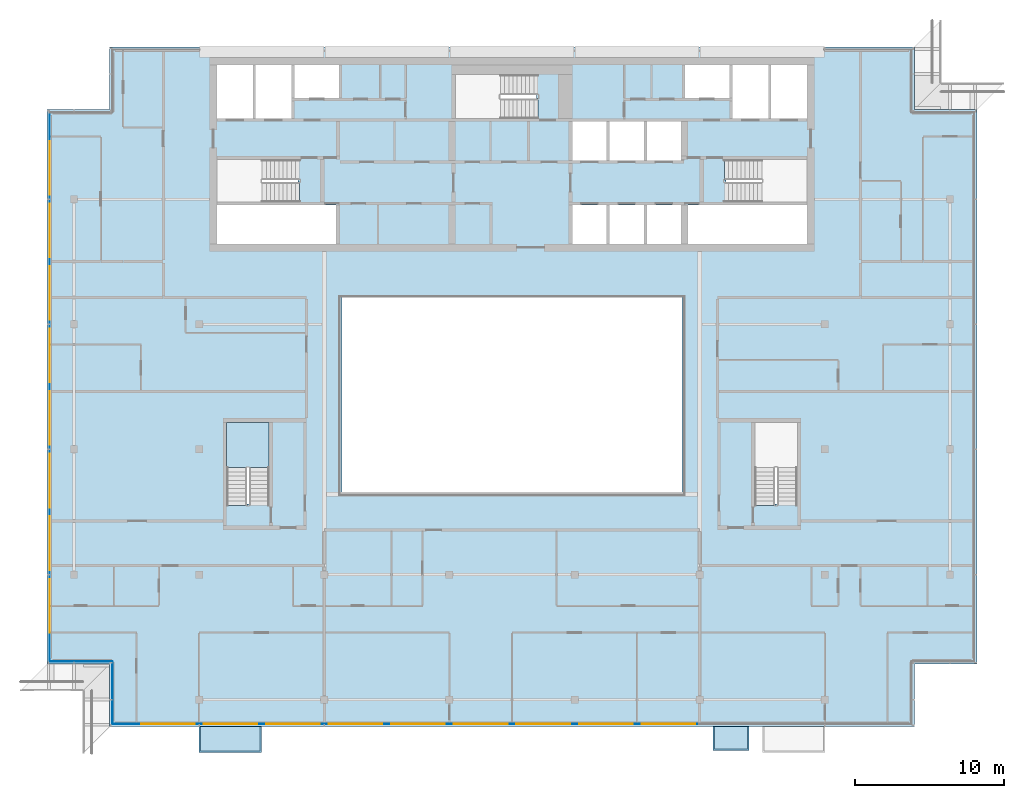
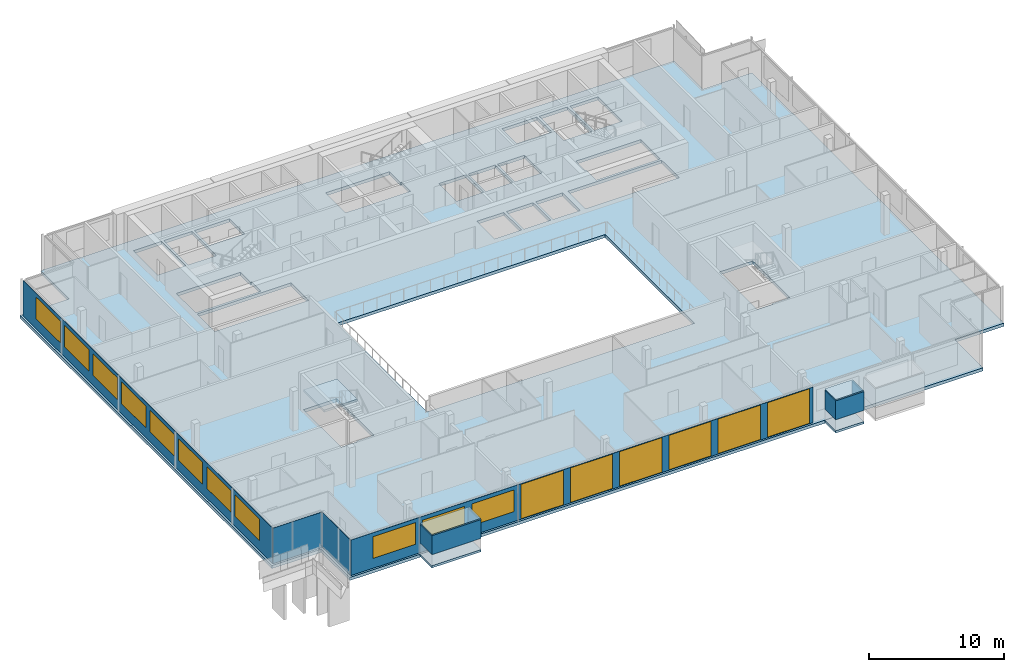
# One storey, part 14 of 24: 17 windows, 9 plates, 4 slabs, 17 openings, 5 elements without a shape of their own.
"""IFC4 building model written with IfcOpenShell, lengths in metres."""

from ifc_helpers import new_model, si_unit, direction, frame, frame_2d, origin, place, context, subcontext, project, spatial, polyline, rectangle, outline, extrude, material, layer, layer_set, type_object, element, fill, aggregate, save


model = new_model("IFC4")

# Units and contexts
model_context = context("Model", 3, precision=1e-05, world=origin(), true_north=direction((0.0, 1.0)))
body_context = subcontext(model_context, "Body", "Model", "MODEL_VIEW")
ifc_project = project(units=[si_unit("LENGTHUNIT", "METRE"), si_unit("AREAUNIT", "SQUARE_METRE"), si_unit("VOLUMEUNIT", "CUBIC_METRE"), si_unit("PLANEANGLEUNIT", "RADIAN"), si_unit("MASSUNIT", "GRAM", prefix="KILO")], contexts=[model_context])

# Site, building, storey
site_placement = place(None, origin())
site = spatial("IfcSite", under=ifc_project, at=site_placement, CompositionType="ELEMENT")
building_placement = place(site_placement, origin())
building = spatial("IfcBuilding", under=site, at=building_placement, Name="Saffron Gate Tower", CompositionType="ELEMENT")
storey_placement = place(building_placement, frame((0.0, 0.0, 281.550048828125)))
storey = spatial("IfcBuildingStorey", under=building, at=storey_placement, Name="L68", CompositionType="ELEMENT", Elevation=281.550048828125)

# Curtain wall, plates, openings, windows
ifc_material_1 = material(Name="Aluminium, bronze anodised", Category="aluminium")
curtain_wall_type_1 = type_object("IfcCurtainWallType", Name="CWS1 curtain wall front facade", PredefinedType="NOTDEFINED", material=ifc_material_1)
curtain_wall_1_placement = place(storey_placement, origin())
curtain_wall_1 = element("IfcCurtainWall", 1, at=curtain_wall_1_placement, inside=storey, type_object=curtain_wall_type_1, Name="CWS1 run 1", PredefinedType="NOTDEFINED")
ifc_material_2 = material(Name="Clear low-iron laminated glass", Category="glass")
ifc_layer_1 = layer(ifc_material_2, 0.028076171875)
ifc_layer_set_1 = layer_set([ifc_layer_1], Name="CWS1 clear glass")
plate_type_1 = type_object("IfcPlateType", Name="CWS1 clear glass", PredefinedType="CURTAIN_PANEL", material=ifc_layer_set_1)
plate_1_placement = place(storey_placement, frame((75.030029296875, 30.174072265625, 0.0), z_axis=(0.0, 0.0, 1.0), x_axis=(1.0, 0.0, 0.0)))
plate_1 = element("IfcPlate", 2, at=plate_1_placement, type_object=plate_type_1, Name="CWS1 clear glass panel", PredefinedType="CURTAIN_PANEL", context=body_context, shape_type="SweptSolid", body=[
    extrude(rectangle(XDim=25.139892578125, YDim=0.028076171875, at=frame_2d((12.56982421875, 0.0))), origin(), (0.0, 0.0, 1.0), 3.199951171875),
])
opening_1_placement = place(plate_1_placement, frame((0.27001953125, 0.0, 0.050048828125)))
opening_1 = element("IfcOpeningElement", 3, at=opening_1_placement, cuts=plate_1, Name="Opening WA", PredefinedType="OPENING", context=body_context, shape_type="SweptSolid", body=[
    extrude(rectangle(XDim=3.60009765625, YDim=3.10009765625, at=frame_2d((1.800048828125, 1.550048828125))), frame((0.0, 0.02392578125, 0.0), z_axis=(0.0, -1.0, 0.0), x_axis=(1.0, 0.0, 0.0)), (0.0, 0.0, 1.0), 0.048095703125),
])
opening_2_placement = place(plate_1_placement, frame((4.469970703125, 0.0, 0.050048828125)))
opening_2 = element("IfcOpeningElement", 4, at=opening_2_placement, cuts=plate_1, Name="Opening WA", PredefinedType="OPENING", context=body_context, shape_type="SweptSolid", body=[
    extrude(rectangle(XDim=3.60009765625, YDim=3.10009765625, at=frame_2d((1.800048828125, 1.550048828125))), frame((0.0, 0.02392578125, 0.0), z_axis=(0.0, -1.0, 0.0), x_axis=(1.0, 0.0, 0.0)), (0.0, 0.0, 1.0), 0.048095703125),
])
opening_3_placement = place(plate_1_placement, frame((8.669921875, 0.0, 0.050048828125)))
opening_3 = element("IfcOpeningElement", 5, at=opening_3_placement, cuts=plate_1, Name="Opening WA", PredefinedType="OPENING", context=body_context, shape_type="SweptSolid", body=[
    extrude(rectangle(XDim=3.60009765625, YDim=3.10009765625, at=frame_2d((1.800048828125, 1.550048828125))), frame((0.0, 0.02392578125, 0.0), z_axis=(0.0, -1.0, 0.0), x_axis=(1.0, 0.0, 0.0)), (0.0, 0.0, 1.0), 0.048095703125),
])
opening_4_placement = place(plate_1_placement, frame((12.8701171875, 0.0, 0.050048828125)))
opening_4 = element("IfcOpeningElement", 6, at=opening_4_placement, cuts=plate_1, Name="Opening WA", PredefinedType="OPENING", context=body_context, shape_type="SweptSolid", body=[
    extrude(rectangle(XDim=3.60009765625, YDim=3.10009765625, at=frame_2d((1.800048828125, 1.550048828125))), frame((0.0, 0.02392578125, 0.0), z_axis=(0.0, -1.0, 0.0), x_axis=(1.0, 0.0, 0.0)), (0.0, 0.0, 1.0), 0.048095703125),
])
opening_5_placement = place(plate_1_placement, frame((17.070068359375, 0.0, 0.050048828125)))
opening_5 = element("IfcOpeningElement", 7, at=opening_5_placement, cuts=plate_1, Name="Opening WA", PredefinedType="OPENING", context=body_context, shape_type="SweptSolid", body=[
    extrude(rectangle(XDim=3.60009765625, YDim=3.10009765625, at=frame_2d((1.800048828125, 1.550048828125))), frame((0.0, 0.02392578125, 0.0), z_axis=(0.0, -1.0, 0.0), x_axis=(1.0, 0.0, 0.0)), (0.0, 0.0, 1.0), 0.048095703125),
])
opening_6_placement = place(plate_1_placement, frame((21.27001953125, 0.0, 0.050048828125)))
opening_6 = element("IfcOpeningElement", 8, at=opening_6_placement, cuts=plate_1, Name="Opening WA", PredefinedType="OPENING", context=body_context, shape_type="SweptSolid", body=[
    extrude(rectangle(XDim=3.60009765625, YDim=3.10009765625, at=frame_2d((1.800048828125, 1.550048828125))), frame((0.0, 0.02392578125, 0.0), z_axis=(0.0, -1.0, 0.0), x_axis=(1.0, 0.0, 0.0)), (0.0, 0.0, 1.0), 0.048095703125),
])
ifc_material_3 = material(Name="Clear low-iron laminated glass in bronze frame", Category="glass")
ifc_layer_2 = layer(ifc_material_3, 0.06005859375)
ifc_layer_set_2 = layer_set([ifc_layer_2], Name="WA operable atrium unit 3600x3100")
window_type_1 = type_object("IfcWindowType", Name="WA operable atrium unit 3600x3100", PartitioningType="DOUBLE_PANEL_HORIZONTAL", PredefinedType="WINDOW", material=ifc_layer_set_2)
window_1_placement = place(opening_1_placement, origin())
window_1 = element("IfcWindow", 9, at=window_1_placement, type_object=window_type_1, Name="WA operable atrium unit", OverallHeight=3.10009765625, OverallWidth=3.60009765625, PartitioningType="SINGLE_PANEL", PredefinedType="WINDOW", context=body_context, shape_type="SweptSolid", body=[
    extrude(rectangle(XDim=3.60009765625, YDim=3.10009765625, at=frame_2d((1.800048828125, 1.550048828125))), frame((0.0, 0.013671875, 0.0), z_axis=(0.0, -1.0, 0.0), x_axis=(1.0, 0.0, 0.0)), (0.0, 0.0, 1.0), 0.027587890625),
])
fill(opening_1, window_1)
window_2_placement = place(opening_2_placement, origin())
window_2 = element("IfcWindow", 10, at=window_2_placement, type_object=window_type_1, Name="WA operable atrium unit", OverallHeight=3.10009765625, OverallWidth=3.60009765625, PartitioningType="SINGLE_PANEL", PredefinedType="WINDOW", context=body_context, shape_type="SweptSolid", body=[
    extrude(rectangle(XDim=3.60009765625, YDim=3.10009765625, at=frame_2d((1.800048828125, 1.550048828125))), frame((0.0, 0.013671875, 0.0), z_axis=(0.0, -1.0, 0.0), x_axis=(1.0, 0.0, 0.0)), (0.0, 0.0, 1.0), 0.027587890625),
])
fill(opening_2, window_2)
window_3_placement = place(opening_3_placement, origin())
window_3 = element("IfcWindow", 11, at=window_3_placement, type_object=window_type_1, Name="WA operable atrium unit", OverallHeight=3.10009765625, OverallWidth=3.60009765625, PartitioningType="SINGLE_PANEL", PredefinedType="WINDOW", context=body_context, shape_type="SweptSolid", body=[
    extrude(rectangle(XDim=3.60009765625, YDim=3.10009765625, at=frame_2d((1.800048828125, 1.550048828125))), frame((0.0, 0.013671875, 0.0), z_axis=(0.0, -1.0, 0.0), x_axis=(1.0, 0.0, 0.0)), (0.0, 0.0, 1.0), 0.027587890625),
])
fill(opening_3, window_3)
window_4_placement = place(opening_4_placement, origin())
window_4 = element("IfcWindow", 12, at=window_4_placement, type_object=window_type_1, Name="WA operable atrium unit", OverallHeight=3.10009765625, OverallWidth=3.60009765625, PartitioningType="SINGLE_PANEL", PredefinedType="WINDOW", context=body_context, shape_type="SweptSolid", body=[
    extrude(rectangle(XDim=3.60009765625, YDim=3.10009765625, at=frame_2d((1.800048828125, 1.550048828125))), frame((0.0, 0.013671875, 0.0), z_axis=(0.0, -1.0, 0.0), x_axis=(1.0, 0.0, 0.0)), (0.0, 0.0, 1.0), 0.027587890625),
])
fill(opening_4, window_4)
window_5_placement = place(opening_5_placement, origin())
window_5 = element("IfcWindow", 13, at=window_5_placement, type_object=window_type_1, Name="WA operable atrium unit", OverallHeight=3.10009765625, OverallWidth=3.60009765625, PartitioningType="SINGLE_PANEL", PredefinedType="WINDOW", context=body_context, shape_type="SweptSolid", body=[
    extrude(rectangle(XDim=3.60009765625, YDim=3.10009765625, at=frame_2d((1.800048828125, 1.550048828125))), frame((0.0, 0.013671875, 0.0), z_axis=(0.0, -1.0, 0.0), x_axis=(1.0, 0.0, 0.0)), (0.0, 0.0, 1.0), 0.027587890625),
])
fill(opening_5, window_5)
window_6_placement = place(opening_6_placement, origin())
window_6 = element("IfcWindow", 14, at=window_6_placement, type_object=window_type_1, Name="WA operable atrium unit", OverallHeight=3.10009765625, OverallWidth=3.60009765625, PartitioningType="SINGLE_PANEL", PredefinedType="WINDOW", context=body_context, shape_type="SweptSolid", body=[
    extrude(rectangle(XDim=3.60009765625, YDim=3.10009765625, at=frame_2d((1.800048828125, 1.550048828125))), frame((0.0, 0.013671875, 0.0), z_axis=(0.0, -1.0, 0.0), x_axis=(1.0, 0.0, 0.0)), (0.0, 0.0, 1.0), 0.027587890625),
])
fill(opening_6, window_6)
ifc_material_4 = material(Name="Fritted bronze-tinted laminated glass", Category="glass")
ifc_layer_3 = layer(ifc_material_4, 0.028076171875)
ifc_layer_set_3 = layer_set([ifc_layer_3], Name="CWS1 fixed glass")
plate_type_2 = type_object("IfcPlateType", Name="CWS1 fixed glass", PredefinedType="CURTAIN_PANEL", material=ifc_layer_set_3)
plate_2_placement = place(storey_placement, frame((60.7880859375, 30.174072265625, 0.0), z_axis=(0.0, 0.0, 1.0), x_axis=(1.0, 0.0, 0.0)))
plate_2 = element("IfcPlate", 15, at=plate_2_placement, type_object=plate_type_2, Name="CWS1 glass panel", PredefinedType="CURTAIN_PANEL", context=body_context, shape_type="SweptSolid", body=[
    extrude(rectangle(XDim=14.241943359375, YDim=0.028076171875, at=frame_2d((7.12109375, 0.0))), origin(), (0.0, 0.0, 1.0), 3.199951171875),
])
opening_7_placement = place(plate_2_placement, frame((1.912109375, 0.0, 0.89990234375)))
opening_7 = element("IfcOpeningElement", 16, at=opening_7_placement, cuts=plate_2, Name="Opening W1", PredefinedType="OPENING", context=body_context, shape_type="SweptSolid", body=[
    extrude(rectangle(XDim=3.60009765625, YDim=1.949951171875, at=frame_2d((1.800048828125, 0.97509765625))), frame((0.0, 0.02392578125, 0.0), z_axis=(0.0, -1.0, 0.0), x_axis=(1.0, 0.0, 0.0)), (0.0, 0.0, 1.0), 0.048095703125),
])
opening_8_placement = place(plate_2_placement, frame((6.112060546875, 0.0, 0.89990234375)))
opening_8 = element("IfcOpeningElement", 17, at=opening_8_placement, cuts=plate_2, Name="Opening W1", PredefinedType="OPENING", context=body_context, shape_type="SweptSolid", body=[
    extrude(rectangle(XDim=3.60009765625, YDim=1.949951171875, at=frame_2d((1.800048828125, 0.97509765625))), frame((0.0, 0.02392578125, 0.0), z_axis=(0.0, -1.0, 0.0), x_axis=(1.0, 0.0, 0.0)), (0.0, 0.0, 1.0), 0.048095703125),
])
opening_9_placement = place(plate_2_placement, frame((10.31201171875, 0.0, 0.89990234375)))
opening_9 = element("IfcOpeningElement", 18, at=opening_9_placement, cuts=plate_2, Name="Opening W1", PredefinedType="OPENING", context=body_context, shape_type="SweptSolid", body=[
    extrude(rectangle(XDim=3.60009765625, YDim=1.949951171875, at=frame_2d((1.800048828125, 0.97509765625))), frame((0.0, 0.02392578125, 0.0), z_axis=(0.0, -1.0, 0.0), x_axis=(1.0, 0.0, 0.0)), (0.0, 0.0, 1.0), 0.048095703125),
])
ifc_material_5 = material(Name="Fritted bronze-tinted laminated glass in bronze frame", Category="glass")
ifc_layer_4 = layer(ifc_material_5, 0.06005859375)
ifc_layer_set_4 = layer_set([ifc_layer_4], Name="W1 operable panel 3600x1950")
window_type_2 = type_object("IfcWindowType", Name="W1 operable panel 3600x1950", PartitioningType="DOUBLE_PANEL_HORIZONTAL", PredefinedType="WINDOW", material=ifc_layer_set_4)
window_7_placement = place(opening_7_placement, origin())
window_7 = element("IfcWindow", 19, at=window_7_placement, type_object=window_type_2, Name="W1 operable panel", OverallHeight=1.949951171875, OverallWidth=3.60009765625, PartitioningType="SINGLE_PANEL", PredefinedType="WINDOW", context=body_context, shape_type="SweptSolid", body=[
    extrude(rectangle(XDim=3.60009765625, YDim=1.949951171875, at=frame_2d((1.800048828125, 0.97509765625))), frame((0.0, 0.013671875, 0.0), z_axis=(0.0, -1.0, 0.0), x_axis=(1.0, 0.0, 0.0)), (0.0, 0.0, 1.0), 0.027587890625),
])
fill(opening_7, window_7)
window_8_placement = place(opening_8_placement, origin())
window_8 = element("IfcWindow", 20, at=window_8_placement, type_object=window_type_2, Name="W1 operable panel", OverallHeight=1.949951171875, OverallWidth=3.60009765625, PartitioningType="SINGLE_PANEL", PredefinedType="WINDOW", context=body_context, shape_type="SweptSolid", body=[
    extrude(rectangle(XDim=3.60009765625, YDim=1.949951171875, at=frame_2d((1.800048828125, 0.97509765625))), frame((0.0, 0.013671875, 0.0), z_axis=(0.0, -1.0, 0.0), x_axis=(1.0, 0.0, 0.0)), (0.0, 0.0, 1.0), 0.027587890625),
])
fill(opening_8, window_8)
window_9_placement = place(opening_9_placement, origin())
window_9 = element("IfcWindow", 21, at=window_9_placement, type_object=window_type_2, Name="W1 operable panel", OverallHeight=1.949951171875, OverallWidth=3.60009765625, PartitioningType="SINGLE_PANEL", PredefinedType="WINDOW", context=body_context, shape_type="SweptSolid", body=[
    extrude(rectangle(XDim=3.60009765625, YDim=1.949951171875, at=frame_2d((1.800048828125, 0.97509765625))), frame((0.0, 0.013671875, 0.0), z_axis=(0.0, -1.0, 0.0), x_axis=(1.0, 0.0, 0.0)), (0.0, 0.0, 1.0), 0.027587890625),
])
fill(opening_9, window_9)
aggregate(curtain_wall_1, [plate_2, plate_1, window_7, window_8, window_9, window_1, window_2, window_3, window_4, window_5, window_6])

# Curtain wall, plate, openings, windows
curtain_wall_type_2 = type_object("IfcCurtainWallType", Name="CWS2 curtain wall side facades", PredefinedType="NOTDEFINED", material=ifc_material_1)
curtain_wall_2_placement = place(storey_placement, origin())
curtain_wall_2 = element("IfcCurtainWall", 22, at=curtain_wall_2_placement, inside=storey, type_object=curtain_wall_type_2, Name="CWS2 run 10", PredefinedType="NOTDEFINED")
ifc_layer_5 = layer(ifc_material_4, 0.028076171875)
ifc_layer_set_5 = layer_set([ifc_layer_5], Name="CWS2 fixed glass")
plate_type_3 = type_object("IfcPlateType", Name="CWS2 fixed glass", PredefinedType="CURTAIN_PANEL", material=ifc_layer_set_5)
plate_3_placement = place(storey_placement, frame((56.573974609375, 71.2119140625, 0.0), z_axis=(0.0, 0.0, 1.0), x_axis=(0.0, -1.0, 0.0)))
plate_3 = element("IfcPlate", 23, at=plate_3_placement, type_object=plate_type_3, Name="CWS2 glass panel", PredefinedType="CURTAIN_PANEL", context=body_context, shape_type="SweptSolid", body=[
    extrude(rectangle(XDim=36.823974609375, YDim=0.028076171875, at=frame_2d((18.412109375, 0.0))), origin(), (0.0, 0.0, 1.0), 3.199951171875),
])
opening_10_placement = place(plate_3_placement, frame((1.912109375, 0.0, 0.89990234375)))
opening_10 = element("IfcOpeningElement", 24, at=opening_10_placement, cuts=plate_3, Name="Opening W1", PredefinedType="OPENING", context=body_context, shape_type="SweptSolid", body=[
    extrude(rectangle(XDim=3.60009765625, YDim=1.949951171875, at=frame_2d((1.800048828125, 0.97509765625))), frame((0.0, 0.02392578125, 0.0), z_axis=(0.0, -1.0, 0.0), x_axis=(1.0, 0.0, 0.0)), (0.0, 0.0, 1.0), 0.048095703125),
])
opening_11_placement = place(plate_3_placement, frame((6.112060546875, 0.0, 0.89990234375)))
opening_11 = element("IfcOpeningElement", 25, at=opening_11_placement, cuts=plate_3, Name="Opening W1", PredefinedType="OPENING", context=body_context, shape_type="SweptSolid", body=[
    extrude(rectangle(XDim=3.60009765625, YDim=1.949951171875, at=frame_2d((1.800048828125, 0.97509765625))), frame((0.0, 0.02392578125, 0.0), z_axis=(0.0, -1.0, 0.0), x_axis=(1.0, 0.0, 0.0)), (0.0, 0.0, 1.0), 0.048095703125),
])
opening_12_placement = place(plate_3_placement, frame((10.31201171875, 0.0, 0.89990234375)))
opening_12 = element("IfcOpeningElement", 26, at=opening_12_placement, cuts=plate_3, Name="Opening W1", PredefinedType="OPENING", context=body_context, shape_type="SweptSolid", body=[
    extrude(rectangle(XDim=3.60009765625, YDim=1.949951171875, at=frame_2d((1.800048828125, 0.97509765625))), frame((0.0, 0.02392578125, 0.0), z_axis=(0.0, -1.0, 0.0), x_axis=(1.0, 0.0, 0.0)), (0.0, 0.0, 1.0), 0.048095703125),
])
opening_13_placement = place(plate_3_placement, frame((14.511962890625, 0.0, 0.89990234375)))
opening_13 = element("IfcOpeningElement", 27, at=opening_13_placement, cuts=plate_3, Name="Opening W1", PredefinedType="OPENING", context=body_context, shape_type="SweptSolid", body=[
    extrude(rectangle(XDim=3.60009765625, YDim=1.949951171875, at=frame_2d((1.800048828125, 0.97509765625))), frame((0.0, 0.02392578125, 0.0), z_axis=(0.0, -1.0, 0.0), x_axis=(1.0, 0.0, 0.0)), (0.0, 0.0, 1.0), 0.048095703125),
])
opening_14_placement = place(plate_3_placement, frame((18.7119140625, 0.0, 0.89990234375)))
opening_14 = element("IfcOpeningElement", 28, at=opening_14_placement, cuts=plate_3, Name="Opening W1", PredefinedType="OPENING", context=body_context, shape_type="SweptSolid", body=[
    extrude(rectangle(XDim=3.60009765625, YDim=1.949951171875, at=frame_2d((1.800048828125, 0.97509765625))), frame((0.0, 0.02392578125, 0.0), z_axis=(0.0, -1.0, 0.0), x_axis=(1.0, 0.0, 0.0)), (0.0, 0.0, 1.0), 0.048095703125),
])
opening_15_placement = place(plate_3_placement, frame((22.912109375, 0.0, 0.89990234375)))
opening_15 = element("IfcOpeningElement", 29, at=opening_15_placement, cuts=plate_3, Name="Opening W1", PredefinedType="OPENING", context=body_context, shape_type="SweptSolid", body=[
    extrude(rectangle(XDim=3.60009765625, YDim=1.949951171875, at=frame_2d((1.800048828125, 0.97509765625))), frame((0.0, 0.02392578125, 0.0), z_axis=(0.0, -1.0, 0.0), x_axis=(1.0, 0.0, 0.0)), (0.0, 0.0, 1.0), 0.048095703125),
])
opening_16_placement = place(plate_3_placement, frame((27.112060546875, 0.0, 0.89990234375)))
opening_16 = element("IfcOpeningElement", 30, at=opening_16_placement, cuts=plate_3, Name="Opening W1", PredefinedType="OPENING", context=body_context, shape_type="SweptSolid", body=[
    extrude(rectangle(XDim=3.60009765625, YDim=1.949951171875, at=frame_2d((1.800048828125, 0.97509765625))), frame((0.0, 0.02392578125, 0.0), z_axis=(0.0, -1.0, 0.0), x_axis=(1.0, 0.0, 0.0)), (0.0, 0.0, 1.0), 0.048095703125),
])
opening_17_placement = place(plate_3_placement, frame((31.31201171875, 0.0, 0.89990234375)))
opening_17 = element("IfcOpeningElement", 31, at=opening_17_placement, cuts=plate_3, Name="Opening W1", PredefinedType="OPENING", context=body_context, shape_type="SweptSolid", body=[
    extrude(rectangle(XDim=3.60009765625, YDim=1.949951171875, at=frame_2d((1.800048828125, 0.97509765625))), frame((0.0, 0.02392578125, 0.0), z_axis=(0.0, -1.0, 0.0), x_axis=(1.0, 0.0, 0.0)), (0.0, 0.0, 1.0), 0.048095703125),
])
window_10_placement = place(opening_10_placement, origin())
window_10 = element("IfcWindow", 32, at=window_10_placement, type_object=window_type_2, Name="W1 operable panel", OverallHeight=1.949951171875, OverallWidth=3.60009765625, PartitioningType="SINGLE_PANEL", PredefinedType="WINDOW", context=body_context, shape_type="SweptSolid", body=[
    extrude(rectangle(XDim=3.60009765625, YDim=1.949951171875, at=frame_2d((1.800048828125, 0.97509765625))), frame((0.0, 0.013671875, 0.0), z_axis=(0.0, -1.0, 0.0), x_axis=(1.0, 0.0, 0.0)), (0.0, 0.0, 1.0), 0.027587890625),
])
fill(opening_10, window_10)
window_11_placement = place(opening_11_placement, origin())
window_11 = element("IfcWindow", 33, at=window_11_placement, type_object=window_type_2, Name="W1 operable panel", OverallHeight=1.949951171875, OverallWidth=3.60009765625, PartitioningType="SINGLE_PANEL", PredefinedType="WINDOW", context=body_context, shape_type="SweptSolid", body=[
    extrude(rectangle(XDim=3.60009765625, YDim=1.949951171875, at=frame_2d((1.800048828125, 0.97509765625))), frame((0.0, 0.013671875, 0.0), z_axis=(0.0, -1.0, 0.0), x_axis=(1.0, 0.0, 0.0)), (0.0, 0.0, 1.0), 0.027587890625),
])
fill(opening_11, window_11)
window_12_placement = place(opening_12_placement, origin())
window_12 = element("IfcWindow", 34, at=window_12_placement, type_object=window_type_2, Name="W1 operable panel", OverallHeight=1.949951171875, OverallWidth=3.60009765625, PartitioningType="SINGLE_PANEL", PredefinedType="WINDOW", context=body_context, shape_type="SweptSolid", body=[
    extrude(rectangle(XDim=3.60009765625, YDim=1.949951171875, at=frame_2d((1.800048828125, 0.97509765625))), frame((0.0, 0.013671875, 0.0), z_axis=(0.0, -1.0, 0.0), x_axis=(1.0, 0.0, 0.0)), (0.0, 0.0, 1.0), 0.027587890625),
])
fill(opening_12, window_12)
window_13_placement = place(opening_13_placement, origin())
window_13 = element("IfcWindow", 35, at=window_13_placement, type_object=window_type_2, Name="W1 operable panel", OverallHeight=1.949951171875, OverallWidth=3.60009765625, PartitioningType="SINGLE_PANEL", PredefinedType="WINDOW", context=body_context, shape_type="SweptSolid", body=[
    extrude(rectangle(XDim=3.60009765625, YDim=1.949951171875, at=frame_2d((1.800048828125, 0.97509765625))), frame((0.0, 0.013671875, 0.0), z_axis=(0.0, -1.0, 0.0), x_axis=(1.0, 0.0, 0.0)), (0.0, 0.0, 1.0), 0.027587890625),
])
fill(opening_13, window_13)
window_14_placement = place(opening_14_placement, origin())
window_14 = element("IfcWindow", 36, at=window_14_placement, type_object=window_type_2, Name="W1 operable panel", OverallHeight=1.949951171875, OverallWidth=3.60009765625, PartitioningType="SINGLE_PANEL", PredefinedType="WINDOW", context=body_context, shape_type="SweptSolid", body=[
    extrude(rectangle(XDim=3.60009765625, YDim=1.949951171875, at=frame_2d((1.800048828125, 0.97509765625))), frame((0.0, 0.013671875, 0.0), z_axis=(0.0, -1.0, 0.0), x_axis=(1.0, 0.0, 0.0)), (0.0, 0.0, 1.0), 0.027587890625),
])
fill(opening_14, window_14)
window_15_placement = place(opening_15_placement, origin())
window_15 = element("IfcWindow", 37, at=window_15_placement, type_object=window_type_2, Name="W1 operable panel", OverallHeight=1.949951171875, OverallWidth=3.60009765625, PartitioningType="SINGLE_PANEL", PredefinedType="WINDOW", context=body_context, shape_type="SweptSolid", body=[
    extrude(rectangle(XDim=3.60009765625, YDim=1.949951171875, at=frame_2d((1.800048828125, 0.97509765625))), frame((0.0, 0.013671875, 0.0), z_axis=(0.0, -1.0, 0.0), x_axis=(1.0, 0.0, 0.0)), (0.0, 0.0, 1.0), 0.027587890625),
])
fill(opening_15, window_15)
window_16_placement = place(opening_16_placement, origin())
window_16 = element("IfcWindow", 38, at=window_16_placement, type_object=window_type_2, Name="W1 operable panel", OverallHeight=1.949951171875, OverallWidth=3.60009765625, PartitioningType="SINGLE_PANEL", PredefinedType="WINDOW", context=body_context, shape_type="SweptSolid", body=[
    extrude(rectangle(XDim=3.60009765625, YDim=1.949951171875, at=frame_2d((1.800048828125, 0.97509765625))), frame((0.0, 0.013671875, 0.0), z_axis=(0.0, -1.0, 0.0), x_axis=(1.0, 0.0, 0.0)), (0.0, 0.0, 1.0), 0.027587890625),
])
fill(opening_16, window_16)
window_17_placement = place(opening_17_placement, origin())
window_17 = element("IfcWindow", 39, at=window_17_placement, type_object=window_type_2, Name="W1 operable panel", OverallHeight=1.949951171875, OverallWidth=3.60009765625, PartitioningType="SINGLE_PANEL", PredefinedType="WINDOW", context=body_context, shape_type="SweptSolid", body=[
    extrude(rectangle(XDim=3.60009765625, YDim=1.949951171875, at=frame_2d((1.800048828125, 0.97509765625))), frame((0.0, 0.013671875, 0.0), z_axis=(0.0, -1.0, 0.0), x_axis=(1.0, 0.0, 0.0)), (0.0, 0.0, 1.0), 0.027587890625),
])
fill(opening_17, window_17)
aggregate(curtain_wall_2, [plate_3, window_10, window_11, window_12, window_13, window_14, window_15, window_16, window_17])

# Curtain wall, plate
curtain_wall_type_3 = type_object("IfcCurtainWallType", Name="CWS4 curtain wall corner returns", PredefinedType="NOTDEFINED", material=ifc_material_1)
curtain_wall_3_placement = place(storey_placement, origin())
curtain_wall_3 = element("IfcCurtainWall", 40, at=curtain_wall_3_placement, inside=storey, type_object=curtain_wall_type_3, Name="CWS4 run 11", PredefinedType="NOTDEFINED")
ifc_layer_6 = layer(ifc_material_4, 0.028076171875)
ifc_layer_set_6 = layer_set([ifc_layer_6], Name="CWS4 fixed glass")
plate_type_4 = type_object("IfcPlateType", Name="CWS4 fixed glass", PredefinedType="CURTAIN_PANEL", material=ifc_layer_set_6)
plate_4_placement = place(storey_placement, frame((56.587890625, 34.3740234375, 0.0), z_axis=(0.0, 0.0, 1.0), x_axis=(1.0, 0.0, 0.0)))
plate_4 = element("IfcPlate", 41, at=plate_4_placement, type_object=plate_type_4, Name="CWS4 glass panel", PredefinedType="CURTAIN_PANEL", context=body_context, shape_type="SweptSolid", body=[
    extrude(rectangle(XDim=4.172119140625, YDim=0.028076171875, at=frame_2d((2.0859375, 0.0))), origin(), (0.0, 0.0, 1.0), 3.199951171875),
])
aggregate(curtain_wall_3, [plate_4])

curtain_wall_4_placement = place(storey_placement, origin())
curtain_wall_4 = element("IfcCurtainWall", 42, at=curtain_wall_4_placement, inside=storey, type_object=curtain_wall_type_3, Name="CWS4 run 12", PredefinedType="NOTDEFINED")
plate_5_placement = place(storey_placement, frame((60.77392578125, 34.360107421875, 0.0), z_axis=(0.0, 0.0, 1.0), x_axis=(0.0, -1.0, 0.0)))
plate_5 = element("IfcPlate", 43, at=plate_5_placement, type_object=plate_type_4, Name="CWS4 glass panel", PredefinedType="CURTAIN_PANEL", context=body_context, shape_type="SweptSolid", body=[
    extrude(rectangle(XDim=4.172119140625, YDim=0.028076171875, at=frame_2d((2.0859375, 0.0))), origin(), (0.0, 0.0, 1.0), 3.199951171875),
])
aggregate(curtain_wall_4, [plate_5])

# Slab
ifc_material_6 = material(Name="Concrete C40", Category="concrete")
ifc_layer_7 = layer(ifc_material_6, 0.280029296875)
ifc_layer_set_7 = layer_set([ifc_layer_7], Name="S2 FLOOR SLAB 280 CONCRETE C40")
slab_type_1 = type_object("IfcSlabType", Name="S2 FLOOR SLAB 280 CONCRETE C40", PredefinedType="FLOOR", material=ifc_layer_set_7)
slab_1_placement = place(storey_placement, frame((0.0, 0.0, -0.280029296875)))
element("IfcSlab", 44, at=slab_1_placement, inside=storey, type_object=slab_type_1, Name="S2 FLOOR SLAB", PredefinedType="FLOOR", context=body_context, shape_type="SweptSolid", body=[
    extrude(outline(polyline([(56.39990234375, 34.199951171875), (60.60009765625, 34.199951171875), (60.60009765625, 30.0), (114.60009765625, 30.0), (114.60009765625, 34.199951171875), (118.800048828125, 34.199951171875), (118.800048828125, 71.39990234375), (114.60009765625, 71.39990234375), (114.60009765625, 75.60009765625), (60.60009765625, 75.60009765625), (60.60009765625, 71.39990234375), (56.39990234375, 71.39990234375), (56.39990234375, 34.199951171875)]), holes=[polyline([(67.800048828125, 62.39990234375), (67.800048828125, 65.0), (75.800048828125, 65.0), (75.800048828125, 62.39990234375), (67.800048828125, 62.39990234375)]), polyline([(67.800048828125, 65.199951171875), (67.800048828125, 68.050048828125), (73.25, 68.050048828125), (73.25, 66.550048828125), (73.34912109375, 66.550048828125), (73.34912109375, 65.199951171875), (67.800048828125, 65.199951171875)]), polyline([(67.800048828125, 70.800048828125), (67.800048828125, 74.39990234375), (70.199951171875, 74.39990234375), (70.199951171875, 70.800048828125), (67.800048828125, 70.800048828125)]), polyline([(68.449951171875, 44.85107421875), (68.449951171875, 50.39990234375), (71.300048828125, 50.39990234375), (71.300048828125, 44.949951171875), (69.800048828125, 44.949951171875), (69.800048828125, 44.85107421875), (68.449951171875, 44.85107421875)]), polyline([(70.39990234375, 70.800048828125), (70.39990234375, 74.39990234375), (72.800048828125, 74.39990234375), (72.800048828125, 70.800048828125), (70.39990234375, 70.800048828125)]), polyline([(73.0, 72.199951171875), (73.0, 74.39990234375), (76.0, 74.39990234375), (76.0, 72.199951171875), (73.0, 72.199951171875)]), polyline([(76.199951171875, 45.60009765625), (76.199951171875, 58.800048828125), (99.0, 58.800048828125), (99.0, 45.60009765625), (76.199951171875, 45.60009765625)]), polyline([(83.800048828125, 70.800048828125), (83.800048828125, 73.75), (89.25, 73.75), (89.25, 72.14990234375), (89.34912109375, 72.14990234375), (89.34912109375, 70.800048828125), (83.800048828125, 70.800048828125)]), polyline([(91.64990234375, 62.39990234375), (91.64990234375, 65.0), (93.949951171875, 65.0), (93.949951171875, 62.39990234375), (91.64990234375, 62.39990234375)]), polyline([(91.64990234375, 68.0), (91.64990234375, 70.60009765625), (93.949951171875, 70.60009765625), (93.949951171875, 68.0), (91.64990234375, 68.0)]), polyline([(94.14990234375, 62.39990234375), (94.14990234375, 65.0), (96.449951171875, 65.0), (96.449951171875, 62.39990234375), (94.14990234375, 62.39990234375)]), polyline([(94.14990234375, 68.0), (94.14990234375, 70.60009765625), (96.449951171875, 70.60009765625), (96.449951171875, 68.0), (94.14990234375, 68.0)]), polyline([(96.64990234375, 62.39990234375), (96.64990234375, 65.0), (98.949951171875, 65.0), (98.949951171875, 62.39990234375), (96.64990234375, 62.39990234375)]), polyline([(96.64990234375, 68.0), (96.64990234375, 70.60009765625), (98.949951171875, 70.60009765625), (98.949951171875, 68.0), (96.64990234375, 68.0)]), polyline([(99.199951171875, 72.199951171875), (99.199951171875, 74.39990234375), (102.199951171875, 74.39990234375), (102.199951171875, 72.199951171875), (99.199951171875, 72.199951171875)]), polyline([(99.39990234375, 62.39990234375), (99.39990234375, 65.0), (107.39990234375, 65.0), (107.39990234375, 62.39990234375), (99.39990234375, 62.39990234375)]), polyline([(101.85107421875, 66.699951171875), (101.85107421875, 68.050048828125), (107.39990234375, 68.050048828125), (107.39990234375, 65.199951171875), (101.949951171875, 65.199951171875), (101.949951171875, 66.699951171875), (101.85107421875, 66.699951171875)]), polyline([(102.39990234375, 70.800048828125), (102.39990234375, 74.39990234375), (104.800048828125, 74.39990234375), (104.800048828125, 70.800048828125), (102.39990234375, 70.800048828125)]), polyline([(103.89990234375, 44.85107421875), (103.89990234375, 50.39990234375), (106.75, 50.39990234375), (106.75, 44.949951171875), (105.25, 44.949951171875), (105.25, 44.85107421875), (103.89990234375, 44.85107421875)]), polyline([(105.0, 70.800048828125), (105.0, 74.39990234375), (107.39990234375, 74.39990234375), (107.39990234375, 70.800048828125), (105.0, 70.800048828125)])]), origin(), (0.0, 0.0, 1.0), 0.280029296875),
])

# Stair, slab
stair_type = type_object("IfcStairType", Name="ST7 Stair 1350 wide, 20 risers of 180", PredefinedType="HALF_TURN_STAIR", material=ifc_material_6)
stair_placement = place(storey_placement, origin())
stair = element("IfcStair", 45, at=stair_placement, inside=storey, type_object=stair_type, Name="L68 Exit stair D", PredefinedType="HALF_TURN_STAIR")
ifc_layer_8 = layer(ifc_material_6, 0.199951171875)
ifc_layer_set_8 = layer_set([ifc_layer_8], Name="SL1 Stair landing 200")
slab_type_2 = type_object("IfcSlabType", Name="SL1 Stair landing 200", PredefinedType="LANDING", material=ifc_layer_set_8)
slab_2_placement = place(storey_placement, frame((0.0, 0.0, 1.599853515625)))
slab_2 = element("IfcSlab", 46, at=slab_2_placement, type_object=slab_type_2, Name="ST-D landing 1", PredefinedType="LANDING", context=body_context, shape_type="SweptSolid", body=[
    extrude(outline(polyline([(71.300048828125, 47.3701171875), (71.300048828125, 50.39990234375), (68.449951171875, 50.39990234375), (68.449951171875, 47.3701171875), (71.300048828125, 47.3701171875)])), origin(), (0.0, 0.0, 1.0), 0.2001953125),
])
aggregate(stair, [slab_2])

# Slabs
ifc_material_7 = material(Name="Timber deck on bronze frame", Category="wood")
ifc_layer_9 = layer(ifc_material_7, 0.199951171875)
ifc_layer_set_9 = layer_set([ifc_layer_9], Name="WB1 box floor")
slab_type_3 = type_object("IfcSlabType", Name="WB1 box floor", PredefinedType="FLOOR", material=ifc_layer_set_9)
slab_3_placement = place(storey_placement, frame((0.0, 0.0, -0.199951171875)))
element("IfcSlab", 47, at=slab_3_placement, inside=storey, type_object=slab_type_3, Name="WINDOW BOX floor", PredefinedType="FLOOR", context=body_context, shape_type="SweptSolid", body=[
    extrude(outline(polyline([(66.60009765625, 30.0), (70.800048828125, 30.0), (70.800048828125, 28.26708984375), (66.60009765625, 28.26708984375), (66.60009765625, 30.0)])), origin(), (0.0, 0.0, 1.0), 0.199951171875),
])
slab_4_placement = place(storey_placement, frame((0.0, 0.0, -0.199951171875)))
element("IfcSlab", 48, at=slab_4_placement, inside=storey, type_object=slab_type_3, Name="WINDOW BOX floor", PredefinedType="FLOOR", context=body_context, shape_type="SweptSolid", body=[
    extrude(outline(polyline([(101.10009765625, 30.0), (103.5, 30.0), (103.5, 28.39990234375), (101.10009765625, 28.39990234375), (101.10009765625, 30.0)])), origin(), (0.0, 0.0, 1.0), 0.199951171875),
])

# Plates
ifc_layer_10 = layer(ifc_material_1, 0.1201171875)
ifc_layer_set_10 = layer_set([ifc_layer_10], Name="WB2 box roof")
plate_type_5 = type_object("IfcPlateType", Name="WB2 box roof", PredefinedType="SHEET", material=ifc_layer_set_10)
plate_6_placement = place(storey_placement, frame((0.0, 0.0, 2.699951171875)))
element("IfcPlate", 49, at=plate_6_placement, inside=storey, type_object=plate_type_5, Name="WINDOW BOX roof", PredefinedType="SHEET", context=body_context, shape_type="SweptSolid", body=[
    extrude(outline(polyline([(66.60009765625, 30.0), (70.800048828125, 30.0), (70.800048828125, 28.26708984375), (66.60009765625, 28.26708984375), (66.60009765625, 30.0)])), origin(), (0.0, 0.0, 1.0), 0.1201171875),
])
plate_7_placement = place(storey_placement, frame((0.0, 0.0, 2.699951171875)))
element("IfcPlate", 50, at=plate_7_placement, inside=storey, type_object=plate_type_5, Name="WINDOW BOX roof", PredefinedType="SHEET", context=body_context, shape_type="SweptSolid", body=[
    extrude(outline(polyline([(101.10009765625, 30.0), (103.5, 30.0), (103.5, 28.39990234375), (101.10009765625, 28.39990234375), (101.10009765625, 30.0)])), origin(), (0.0, 0.0, 1.0), 0.1201171875),
])
ifc_layer_11 = layer(ifc_material_2, 0.10009765625)
ifc_layer_set_11 = layer_set([ifc_layer_11], Name="WB6 box glazing")
plate_type_6 = type_object("IfcPlateType", Name="WB6 box glazing", PredefinedType="SHEET", material=ifc_layer_set_11)
plate_8_placement = place(storey_placement, frame((0.0, 0.0, 1.0)))
element("IfcPlate", 51, at=plate_8_placement, inside=storey, type_object=plate_type_6, Name="WINDOW BOX glazing", PredefinedType="SHEET", context=body_context, shape_type="SweptSolid", body=[
    extrude(outline(polyline([(66.60009765625, 30.0), (66.699951171875, 30.0), (66.699951171875, 28.366943359375), (70.699951171875, 28.366943359375), (70.699951171875, 30.0), (70.800048828125, 30.0), (70.800048828125, 28.26708984375), (66.60009765625, 28.26708984375), (66.60009765625, 30.0)])), origin(), (0.0, 0.0, 1.0), 1.699951171875),
])
plate_9_placement = place(storey_placement, frame((0.0, 0.0, 1.0)))
element("IfcPlate", 52, at=plate_9_placement, inside=storey, type_object=plate_type_6, Name="WINDOW BOX glazing", PredefinedType="SHEET", context=body_context, shape_type="SweptSolid", body=[
    extrude(outline(polyline([(101.10009765625, 30.0), (101.199951171875, 30.0), (101.199951171875, 28.5), (103.39990234375, 28.5), (103.39990234375, 30.0), (103.5, 30.0), (103.5, 28.39990234375), (101.10009765625, 28.39990234375), (101.10009765625, 30.0)])), origin(), (0.0, 0.0, 1.0), 1.699951171875),
])

save(model, "model.ifc")
